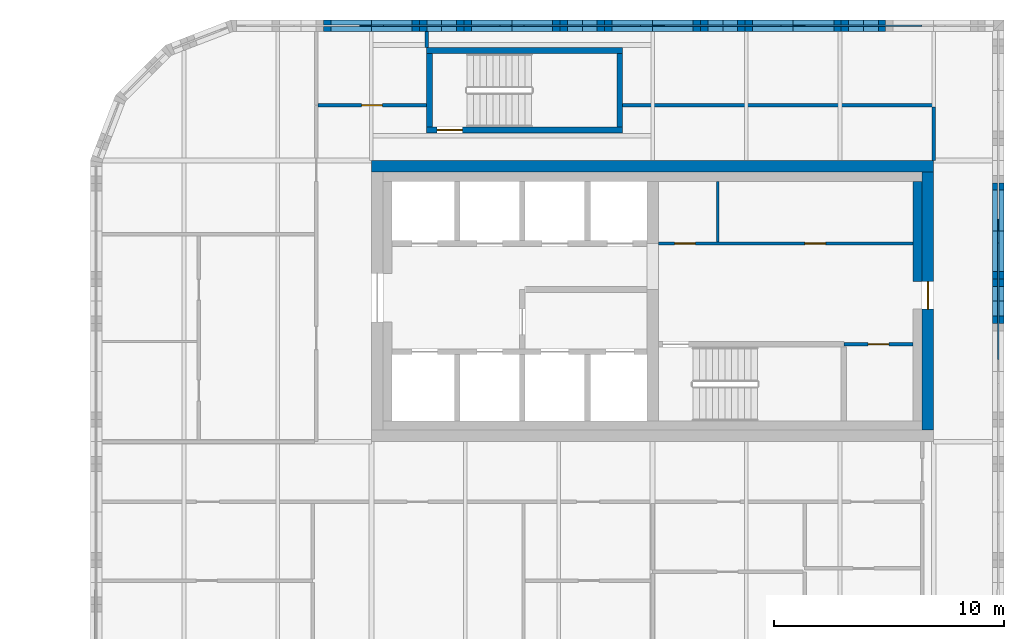
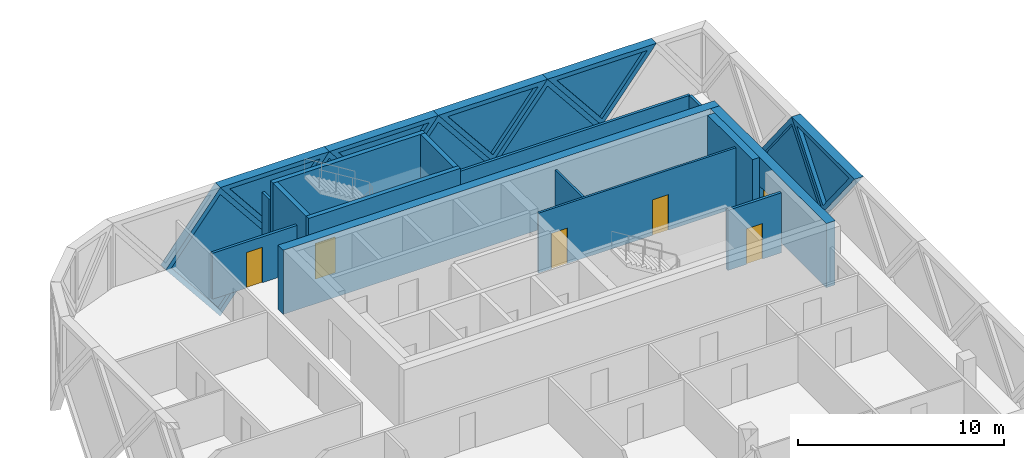
# One storey, part 20 of 24: 24 walls, 10 plates, 6 doors, 16 openings.
"""IFC4 building model written with IfcOpenShell, lengths in metres."""

from ifc_helpers import new_model, si_unit, direction, frame, frame_2d, origin, place, context, subcontext, project, spatial, polyline, rectangle, outline, extrude, faceted_brep, source, transform, mapped, material, layer, layer_set, type_object, element, fill, save


model = new_model("IFC4")

# Units and contexts
model_context = context("Model", 3, precision=1e-05, world=origin(), true_north=direction((0.0, 1.0)))
body_context = subcontext(model_context, "Body", "Model", "MODEL_VIEW")
ifc_project = project(units=[si_unit("LENGTHUNIT", "METRE"), si_unit("AREAUNIT", "SQUARE_METRE"), si_unit("VOLUMEUNIT", "CUBIC_METRE"), si_unit("PLANEANGLEUNIT", "RADIAN"), si_unit("MASSUNIT", "GRAM", prefix="KILO")], contexts=[model_context])

# Site, building, storey
site_placement = place(None, origin())
site = spatial("IfcSite", under=ifc_project, at=site_placement, CompositionType="ELEMENT")
building_placement = place(site_placement, origin())
building = spatial("IfcBuilding", under=site, at=building_placement, Name="Tessera Gate Towers", CompositionType="ELEMENT")
storey_placement = place(building_placement, frame((0.0, 0.0, 102.800048828125)))
storey = spatial("IfcBuildingStorey", under=building, at=storey_placement, Name="L25", CompositionType="ELEMENT", Elevation=102.800048828125)

# Wall, opening, door
ifc_material_1 = material(Name="Concrete C40/50", Category="concrete")
ifc_layer_1 = layer(ifc_material_1, 0.25)
ifc_layer_set_1 = layer_set([ifc_layer_1], Name="CORE ENCLOSURE WALL 250")
wall_type_1 = type_object("IfcWallType", Name="CORE ENCLOSURE WALL 250", PredefinedType="SOLIDWALL", material=ifc_layer_set_1)
wall_1_placement = place(storey_placement, frame((108.5, 50.125, 0.0), z_axis=(0.0, 0.0, 1.0), x_axis=(-1.0, 0.0, 0.0)))
wall_1 = element("IfcWall", 1, at=wall_1_placement, inside=storey, type_object=wall_type_1, Name="L25 ST7 enclosure wall", PredefinedType="SOLIDWALL", context=body_context, shape_type="SweptSolid", body=[
    extrude(rectangle(XDim=8.5, YDim=0.25, at=frame_2d((4.25, 0.0))), origin(), (0.0, 0.0, 1.0), 3.800048828125),
])
shared_shape_1 = source(origin(), body_context, "Body", "SweptSolid", [
    extrude(rectangle(XDim=1.10009765625, YDim=2.10009765625, at=frame_2d((0.550048828125, 1.050048828125))), frame((0.0, 0.135009765625, 0.0), z_axis=(0.0, -1.0, 0.0), x_axis=(1.0, 0.0, 0.0)), (0.0, 0.0, 1.0), 0.27001953125),
])
opening_1_placement = place(wall_1_placement, frame((6.949951171875, 0.0, 0.0)))
opening_1 = element("IfcOpeningElement", 2, at=opening_1_placement, cuts=wall_1, Name="Opening SD-ST7-1", PredefinedType="OPENING", context=body_context, shape_type="MappedRepresentation", body=[
    mapped(shared_shape_1, transform((0.0, 0.0, 0.0), scale=1.0)),
])
ifc_material_2 = material(Name="Hollow steel fire door", Category="steel")
door_type_1 = type_object("IfcDoorType", Name="CORE DOOR SD1100 1100x2100", OperationType="NOTDEFINED", PredefinedType="DOOR", material=ifc_material_2)
shared_shape_2 = source(origin(), body_context, "Body", "SweptSolid", [
    extrude(rectangle(XDim=1.10009765625, YDim=2.10009765625, at=frame_2d((0.550048828125, 1.050048828125))), frame((0.0, 0.02490234375, 0.0), z_axis=(0.0, -1.0, 0.0), x_axis=(1.0, 0.0, 0.0)), (0.0, 0.0, 1.0), 0.050048828125),
])
door_1_placement = place(opening_1_placement, origin())
door_1 = element("IfcDoor", 3, at=door_1_placement, inside=storey, type_object=door_type_1, Name="Stair door", OperationType="SINGLE_SWING_RIGHT", OverallHeight=2.10009765625, OverallWidth=1.10009765625, PredefinedType="DOOR", context=body_context, shape_type="MappedRepresentation", body=[
    mapped(shared_shape_2, transform((0.0, 0.0, 0.0), scale=1.0)),
])
fill(opening_1, door_1)

# Walls
wall_2_placement = place(storey_placement, frame((100.125, 50.25, 0.0), z_axis=(0.0, 0.0, 1.0), x_axis=(0.0, 1.0, 0.0)))
element("IfcWall", 4, at=wall_2_placement, inside=storey, type_object=wall_type_1, Name="L25 ST7 enclosure wall", PredefinedType="SOLIDWALL", context=body_context, shape_type="SweptSolid", body=[
    extrude(rectangle(XDim=3.199951171875, YDim=0.25, at=frame_2d((1.60009765625, 0.0))), origin(), (0.0, 0.0, 1.0), 3.800048828125),
])
wall_3_placement = place(storey_placement, frame((100.0, 53.574951171875, 0.0), z_axis=(0.0, 0.0, 1.0), x_axis=(1.0, 0.0, 0.0)))
element("IfcWall", 5, at=wall_3_placement, inside=storey, type_object=wall_type_1, Name="L25 ST7 enclosure wall", PredefinedType="SOLIDWALL", context=body_context, shape_type="SweptSolid", body=[
    extrude(rectangle(XDim=8.5, YDim=0.25, at=frame_2d((4.25, 0.0))), origin(), (0.0, 0.0, 1.0), 3.800048828125),
])
wall_4_placement = place(storey_placement, frame((108.375, 53.449951171875, 0.0), z_axis=(0.0, 0.0, 1.0), x_axis=(0.0, -1.0, 0.0)))
element("IfcWall", 6, at=wall_4_placement, inside=storey, type_object=wall_type_1, Name="L25 ST7 enclosure wall", PredefinedType="SOLIDWALL", context=body_context, shape_type="SweptSolid", body=[
    extrude(rectangle(XDim=3.199951171875, YDim=0.25, at=frame_2d((1.60009765625, 0.0))), origin(), (0.0, 0.0, 1.0), 3.800048828125),
])

# Wall, openings, doors
ifc_material_3 = material(Name="Gypsum board on steel studs", Category="steel")
ifc_layer_2 = layer(ifc_material_3, 0.1201171875)
ifc_layer_set_2 = layer_set([ifc_layer_2], Name="CORE PARTITION 120")
wall_type_2 = type_object("IfcWallType", Name="CORE PARTITION 120", PredefinedType="PARTITIONING", material=ifc_layer_set_2)
wall_5_placement = place(storey_placement, frame((110.050048828125, 45.199951171875, 0.0), z_axis=(0.0, 0.0, 1.0), x_axis=(1.0, 0.0, 0.0)))
wall_5 = element("IfcWall", 7, at=wall_5_placement, inside=storey, type_object=wall_type_2, Name="L25 core partition", PredefinedType="PARTITIONING", context=body_context, shape_type="SweptSolid", body=[
    extrude(rectangle(XDim=11.050048828125, YDim=0.1201171875, at=frame_2d((5.52490234375, 0.0))), origin(), (0.0, 0.0, 1.0), 3.550048828125),
])
shared_shape_3 = source(origin(), body_context, "Body", "SweptSolid", [
    extrude(rectangle(XDim=0.89990234375, YDim=2.10009765625, at=frame_2d((0.449951171875, 1.050048828125))), frame((0.0, 0.070068359375, 0.0), z_axis=(0.0, -1.0, 0.0), x_axis=(1.0, 0.0, 0.0)), (0.0, 0.0, 1.0), 0.14013671875),
])
opening_2_placement = place(wall_5_placement, frame((0.71240234375, 0.0, 0.0)))
opening_2 = element("IfcOpeningElement", 8, at=opening_2_placement, cuts=wall_5, Name="Opening RD-T2-12-04", PredefinedType="OPENING", context=body_context, shape_type="MappedRepresentation", body=[
    mapped(shared_shape_3, transform((0.0, 0.0, 0.0), scale=1.0)),
])
opening_3_placement = place(wall_5_placement, frame((6.362548828125, 0.0, 0.0)))
opening_3 = element("IfcOpeningElement", 9, at=opening_3_placement, cuts=wall_5, Name="Opening RD-T2-12-05", PredefinedType="OPENING", context=body_context, shape_type="MappedRepresentation", body=[
    mapped(shared_shape_3, transform((0.0, 0.0, 0.0), scale=1.0)),
])
ifc_material_4 = material(Name="Hollow steel fire door", Category="steel")
door_type_2 = type_object("IfcDoorType", Name="CORE DOOR RD 900x2100", OperationType="NOTDEFINED", PredefinedType="DOOR", material=ifc_material_4)
shared_shape_4 = source(origin(), body_context, "Body", "SweptSolid", [
    extrude(rectangle(XDim=0.89990234375, YDim=2.10009765625, at=frame_2d((0.449951171875, 1.050048828125))), frame((0.0, 0.02490234375, 0.0), z_axis=(0.0, -1.0, 0.0), x_axis=(1.0, 0.0, 0.0)), (0.0, 0.0, 1.0), 0.050048828125),
])
door_2_placement = place(opening_2_placement, origin())
door_2 = element("IfcDoor", 10, at=door_2_placement, inside=storey, type_object=door_type_2, Name="Core room door", OperationType="SINGLE_SWING_LEFT", OverallHeight=2.10009765625, OverallWidth=0.89990234375, PredefinedType="DOOR", context=body_context, shape_type="MappedRepresentation", body=[
    mapped(shared_shape_4, transform((0.0, 0.0, 0.0), scale=1.0)),
])
fill(opening_2, door_2)
door_3_placement = place(opening_3_placement, origin())
door_3 = element("IfcDoor", 11, at=door_3_placement, inside=storey, type_object=door_type_2, Name="Core room door", OperationType="SINGLE_SWING_RIGHT", OverallHeight=2.10009765625, OverallWidth=0.89990234375, PredefinedType="DOOR", context=body_context, shape_type="MappedRepresentation", body=[
    mapped(shared_shape_4, transform((0.0, 0.0, 0.0), scale=1.0)),
])
fill(opening_3, door_3)

# Walls
wall_6_placement = place(storey_placement, frame((112.625, 45.260009765625, 0.0), z_axis=(0.0, 0.0, 1.0), x_axis=(0.0, 1.0, 0.0)))
element("IfcWall", 12, at=wall_6_placement, inside=storey, type_object=wall_type_2, Name="L25 core partition", PredefinedType="PARTITIONING", context=body_context, shape_type="SweptSolid", body=[
    extrude(rectangle(XDim=2.639892578125, YDim=0.1201171875, at=frame_2d((1.31982421875, 0.0))), origin(), (0.0, 0.0, 1.0), 3.550048828125),
])
ifc_material_5 = material(Name="Concrete C50/60", Category="concrete")
ifc_layer_3 = layer(ifc_material_5, 0.5)
ifc_layer_set_3 = layer_set([ifc_layer_3], Name="CORE SHEAR WALL 500 C50/60")
wall_type_3 = type_object("IfcWallType", Name="CORE SHEAR WALL 500 C50/60", PredefinedType="SHEAR", material=ifc_layer_set_3)
wall_7_placement = place(storey_placement, frame((97.60009765625, 48.550048828125, 0.0), z_axis=(0.0, 0.0, 1.0), x_axis=(1.0, 0.0, 0.0)))
element("IfcWall", 13, at=wall_7_placement, inside=storey, type_object=wall_type_3, Name="Core wall N L25", PredefinedType="SHEAR", context=body_context, shape_type="SweptSolid", body=[
    extrude(rectangle(XDim=24.39990234375, YDim=0.5, at=frame_2d((12.199951171875, 0.0))), origin(), (0.0, 0.0, 1.0), 3.800048828125),
])

# Wall, opening, door
wall_8_placement = place(storey_placement, frame((121.75, 48.300048828125, 0.0), z_axis=(0.0, 0.0, 1.0), x_axis=(0.0, -1.0, 0.0)))
wall_8 = element("IfcWall", 14, at=wall_8_placement, inside=storey, type_object=wall_type_3, Name="Core wall E L25", PredefinedType="SHEAR", context=body_context, shape_type="SweptSolid", body=[
    extrude(rectangle(XDim=11.199951171875, YDim=0.5, at=frame_2d((5.60009765625, 0.0))), origin(), (0.0, 0.0, 1.0), 3.800048828125),
])
shared_shape_5 = source(origin(), body_context, "Body", "SweptSolid", [
    extrude(rectangle(XDim=1.199951171875, YDim=2.10009765625, at=frame_2d((0.60009765625, 1.050048828125))), frame((0.0, 0.260009765625, 0.0), z_axis=(0.0, -1.0, 0.0), x_axis=(1.0, 0.0, 0.0)), (0.0, 0.0, 1.0), 0.52001953125),
])
opening_4_placement = place(wall_8_placement, frame((4.75, 0.0, 0.0)))
opening_4 = element("IfcOpeningElement", 15, at=opening_4_placement, cuts=wall_8, Name="Opening ED-T2-12-02", PredefinedType="OPENING", context=body_context, shape_type="MappedRepresentation", body=[
    mapped(shared_shape_5, transform((0.0, 0.0, 0.0), scale=1.0)),
])
ifc_material_6 = material(Name="Hollow steel fire door", Category="steel")
door_type_3 = type_object("IfcDoorType", Name="CORE DOOR ED 1200x2100", OperationType="NOTDEFINED", PredefinedType="DOOR", material=ifc_material_6)
shared_shape_6 = source(origin(), body_context, "Body", "SweptSolid", [
    extrude(rectangle(XDim=1.199951171875, YDim=2.10009765625, at=frame_2d((0.60009765625, 1.050048828125))), frame((0.0, 0.02490234375, 0.0), z_axis=(0.0, -1.0, 0.0), x_axis=(1.0, 0.0, 0.0)), (0.0, 0.0, 1.0), 0.050048828125),
])
door_4_placement = place(opening_4_placement, origin())
door_4 = element("IfcDoor", 16, at=door_4_placement, inside=storey, type_object=door_type_3, Name="Core exit door", OperationType="SINGLE_SWING_LEFT", OverallHeight=2.10009765625, OverallWidth=1.199951171875, PredefinedType="DOOR", context=body_context, shape_type="MappedRepresentation", body=[
    mapped(shared_shape_6, transform((0.0, 0.0, 0.0), scale=1.0)),
])
fill(opening_4, door_4)

# Walls
ifc_material_7 = material(Name="Concrete C50/60", Category="concrete")
ifc_layer_4 = layer(ifc_material_7, 0.39990234375)
ifc_layer_set_4 = layer_set([ifc_layer_4], Name="CORE WALL THICKENING 400")
wall_type_4 = type_object("IfcWallType", Name="CORE WALL THICKENING 400", PredefinedType="SOLIDWALL", material=ifc_layer_set_4)
wall_9_placement = place(storey_placement, frame((121.300048828125, 43.550048828125, 0.0), z_axis=(0.0, 0.0, 1.0), x_axis=(0.0, 1.0, 0.0)))
element("IfcWall", 17, at=wall_9_placement, inside=storey, type_object=wall_type_4, Name="Core wall thickening E L25", PredefinedType="SOLIDWALL", context=body_context, shape_type="SweptSolid", body=[
    extrude(rectangle(XDim=4.349853515625, YDim=0.39990234375, at=frame_2d((2.1748046875, 0.0))), origin(), (0.0, 0.0, 1.0), 3.800048828125),
])
ifc_material_8 = material(Name="Gypsum board on steel studs, mineral wool", Category="steel")
ifc_layer_5 = layer(ifc_material_8, 0.14990234375)
ifc_layer_set_5 = layer_set([ifc_layer_5], Name="CORRIDOR WALL 150")
wall_type_5 = type_object("IfcWallType", Name="CORRIDOR WALL 150", PredefinedType="PARTITIONING", material=ifc_layer_set_5)
wall_10_placement = place(storey_placement, frame((122.0, 48.800048828125, 0.0), z_axis=(0.0, 0.0, 1.0), x_axis=(0.0, 1.0, 0.0)))
element("IfcWall", 18, at=wall_10_placement, inside=storey, type_object=wall_type_5, Name="T2-L25-PW-031", PredefinedType="PARTITIONING", context=body_context, shape_type="SweptSolid", body=[
    extrude(rectangle(XDim=2.323974609375, YDim=0.14990234375, at=frame_2d((1.162109375, 0.0))), origin(), (0.0, 0.0, 1.0), 2.71484375),
])

# Wall, opening, door
wall_11_placement = place(storey_placement, frame((95.27587890625, 51.199951171875, 0.0), z_axis=(0.0, 0.0, 1.0), x_axis=(1.0, 0.0, 0.0)))
wall_11 = element("IfcWall", 19, at=wall_11_placement, inside=storey, type_object=wall_type_5, Name="T2-L25-PW-033", PredefinedType="PARTITIONING", context=body_context, shape_type="SweptSolid", body=[
    extrude(rectangle(XDim=4.72412109375, YDim=0.14990234375, at=frame_2d((2.362060546875, 0.0))), origin(), (0.0, 0.0, 1.0), 2.71484375),
])
shared_shape_7 = source(origin(), body_context, "Body", "SweptSolid", [
    extrude(rectangle(XDim=0.89990234375, YDim=2.10009765625, at=frame_2d((0.449951171875, 1.050048828125))), frame((0.0, 0.0849609375, 0.0), z_axis=(0.0, -1.0, 0.0), x_axis=(1.0, 0.0, 0.0)), (0.0, 0.0, 1.0), 0.169921875),
])
opening_5_placement = place(wall_11_placement, frame((1.89990234375, 0.0, 0.0)))
opening_5 = element("IfcOpeningElement", 20, at=opening_5_placement, cuts=wall_11, Name="Opening D890FD60-B10-01", PredefinedType="OPENING", context=body_context, shape_type="MappedRepresentation", body=[
    mapped(shared_shape_7, transform((0.0, 0.0, 0.0), scale=1.0)),
])
ifc_material_9 = material(Name="Timber door leaf in steel frame", Category="steel")
door_type_4 = type_object("IfcDoorType", Name="CORRIDOR DOOR 900 FD60", OperationType="NOTDEFINED", PredefinedType="DOOR", material=ifc_material_9)
door_5_placement = place(opening_5_placement, origin())
door_5 = element("IfcDoor", 21, at=door_5_placement, inside=storey, type_object=door_type_4, Name="T2-L25-PD-007", OperationType="SINGLE_SWING_LEFT", OverallHeight=2.10009765625, OverallWidth=0.89990234375, PredefinedType="DOOR", context=body_context, shape_type="MappedRepresentation", body=[
    mapped(shared_shape_4, transform((0.0, 0.0, 0.0), scale=1.0)),
])
fill(opening_5, door_5)

# Wall
wall_12_placement = place(storey_placement, frame((108.5, 51.199951171875, 0.0), z_axis=(0.0, 0.0, 1.0), x_axis=(1.0, 0.0, 0.0)))
element("IfcWall", 22, at=wall_12_placement, inside=storey, type_object=wall_type_5, Name="T2-L25-PW-034", PredefinedType="PARTITIONING", context=body_context, shape_type="SweptSolid", body=[
    extrude(rectangle(XDim=13.5, YDim=0.14990234375, at=frame_2d((6.75, 0.0))), origin(), (0.0, 0.0, 1.0), 2.71484375),
])

# Wall, opening, door
ifc_material_10 = material(Name="Gypsum board on steel studs", Category="steel")
ifc_layer_6 = layer(ifc_material_10, 0.14990234375)
ifc_layer_set_6 = layer_set([ifc_layer_6], Name="SERVICE ROOM WALL 150")
wall_type_6 = type_object("IfcWallType", Name="SERVICE ROOM WALL 150", PredefinedType="PARTITIONING", material=ifc_layer_set_6)
wall_13_placement = place(storey_placement, frame((121.10009765625, 40.824951171875, 0.0), z_axis=(0.0, 0.0, 1.0), x_axis=(-1.0, 0.0, 0.0)))
wall_13 = element("IfcWall", 23, at=wall_13_placement, inside=storey, type_object=wall_type_6, Name="L25 service room wall", PredefinedType="PARTITIONING", context=body_context, shape_type="SweptSolid", body=[
    extrude(rectangle(XDim=3.0, YDim=0.14990234375, at=frame_2d((1.5, 0.0))), origin(), (0.0, 0.0, 1.0), 3.550048828125),
])
opening_6_placement = place(wall_13_placement, frame((1.050048828125, 0.0, 0.0)))
opening_6 = element("IfcOpeningElement", 24, at=opening_6_placement, cuts=wall_13, Name="Opening RD-T2-12-06", PredefinedType="OPENING", context=body_context, shape_type="MappedRepresentation", body=[
    mapped(shared_shape_7, transform((0.0, 0.0, 0.0), scale=1.0)),
])
door_6_placement = place(opening_6_placement, origin())
door_6 = element("IfcDoor", 25, at=door_6_placement, inside=storey, type_object=door_type_2, Name="Core room door", OperationType="SINGLE_SWING_RIGHT", OverallHeight=2.10009765625, OverallWidth=0.89990234375, PredefinedType="DOOR", context=body_context, shape_type="MappedRepresentation", body=[
    mapped(shared_shape_4, transform((0.0, 0.0, 0.0), scale=1.0)),
])
fill(opening_6, door_6)

# Wall
ifc_material_11 = material(Name="Gypsum board on steel studs, mineral wool", Category="steel")
ifc_layer_7 = layer(ifc_material_11, 0.14990234375)
ifc_layer_set_7 = layer_set([ifc_layer_7], Name="TENANCY WALL 150")
wall_type_7 = type_object("IfcWallType", Name="TENANCY WALL 150", PredefinedType="PARTITIONING", material=ifc_layer_set_7)
wall_14_placement = place(storey_placement, frame((100.0, 53.699951171875, 0.0), z_axis=(0.0, 0.0, 1.0), x_axis=(0.0, 1.0, 0.0)))
element("IfcWall", 26, at=wall_14_placement, inside=storey, type_object=wall_type_7, Name="T2-L25-PW-035", PredefinedType="PARTITIONING", context=body_context, shape_type="SweptSolid", body=[
    extrude(rectangle(XDim=0.699951171875, YDim=0.14990234375, at=frame_2d((0.35009765625, 0.0))), origin(), (0.0, 0.0, 1.0), 2.71484375),
])

# Wall, opening, plate
ifc_material_12 = material(Name="Precast concrete C60/75 white", Category="concrete")
ifc_layer_8 = layer(ifc_material_12, 0.5)
ifc_layer_set_8 = layer_set([ifc_layer_8], Name="TS1 tessera")
wall_type_8 = type_object("IfcWallType", Name="TS1 tessera", PredefinedType="SOLIDWALL", material=ifc_layer_set_8)
shared_shape_8 = source(origin(), body_context, "Body", "Brep", [
    faceted_brep([(3.050048828125, -0.25, 0.0), (6.099853515625, -0.25, 3.7998046875), (6.099853515625, -0.25, 3.80029296875), (3.050048828125, -0.25, 7.60009765625), (0.0, -0.25, 3.800048828125), (0.0, 0.25, 3.800048828125), (3.050048828125, 0.25, 7.60009765625), (6.099853515625, 0.25, 3.80029296875), (6.099853515625, 0.25, 3.7998046875), (3.050048828125, 0.25, 0.0)], [[[0, 1, 2, 3, 4]], [[5, 6, 7, 8, 9]], [[9, 8, 1, 0]], [[7, 6, 3, 2]], [[6, 5, 4, 3]], [[5, 9, 0, 4]], [[1, 8, 7, 2]]]),
])
wall_15_placement = place(storey_placement, frame((118.949951171875, 54.64990234375, -3.800048828125), z_axis=(0.0, 0.0, 1.0), x_axis=(-1.0, 0.0, 0.0)))
wall_15 = element("IfcWall", 27, at=wall_15_placement, inside=storey, type_object=wall_type_8, Name="Precast tessera T2 TS1-0318", PredefinedType="SOLIDWALL", context=body_context, shape_type="MappedRepresentation", body=[
    mapped(shared_shape_8, transform((0.0, 0.0, 0.0), scale=1.0)),
])
shared_shape_9 = source(origin(), body_context, "Body", "SweptSolid", [
    extrude(outline(polyline([(3.050048828125, 0.3994140625), (5.779541015625, 3.800048828125), (3.050048828125, 7.20068359375), (0.320556640625, 3.800048828125), (3.050048828125, 0.3994140625)])), frame((0.0, 0.260009765625, 0.0), z_axis=(0.0, -1.0, 0.0), x_axis=(1.0, 0.0, 0.0)), (0.0, 0.0, 1.0), 0.52001953125),
])
opening_7_placement = place(wall_15_placement, origin())
opening_7 = element("IfcOpeningElement", 28, at=opening_7_placement, cuts=wall_15, Name="Opening T2-PL2-0588", PredefinedType="OPENING", context=body_context, shape_type="MappedRepresentation", body=[
    mapped(shared_shape_9, transform((0.0, 0.0, 0.0), scale=1.0)),
])
ifc_material_13 = material(Name="Low-e laminated glass", Category="glass")
ifc_layer_9 = layer(ifc_material_13, 0.06005859375)
ifc_layer_set_9 = layer_set([ifc_layer_9], Name="PL2 rhombic pane")
plate_type_1 = type_object("IfcPlateType", Name="PL2 rhombic pane", PredefinedType="SHEET", material=ifc_layer_set_9)
shared_shape_10 = source(origin(), body_context, "Body", "SweptSolid", [
    extrude(outline(polyline([(3.050048828125, 0.3994140625), (5.779541015625, 3.800048828125), (3.050048828125, 7.20068359375), (0.320556640625, 3.800048828125), (3.050048828125, 0.3994140625)])), frame((0.0, 0.030029296875, 0.0), z_axis=(0.0, -1.0, 0.0), x_axis=(1.0, 0.0, 0.0)), (0.0, 0.0, 1.0), 0.06005859375),
])
plate_1_placement = place(opening_7_placement, origin())
plate_1 = element("IfcPlate", 29, at=plate_1_placement, inside=storey, type_object=plate_type_1, Name="Glass pane T2 PL2-0588", PredefinedType="SHEET", context=body_context, shape_type="MappedRepresentation", body=[
    mapped(shared_shape_10, transform((0.0, 0.0, 0.0), scale=1.0)),
])
fill(opening_7, plate_1)

wall_16_placement = place(storey_placement, frame((100.64990234375, 54.64990234375, -3.800048828125), z_axis=(0.0, 0.0, 1.0), x_axis=(-1.0, 0.0, 0.0)))
wall_16 = element("IfcWall", 30, at=wall_16_placement, inside=storey, type_object=wall_type_8, Name="Precast tessera T2 TS1-0321", PredefinedType="SOLIDWALL", context=body_context, shape_type="MappedRepresentation", body=[
    mapped(shared_shape_8, transform((0.0, 0.0, 0.0), scale=1.0)),
])
opening_8_placement = place(wall_16_placement, origin())
opening_8 = element("IfcOpeningElement", 31, at=opening_8_placement, cuts=wall_16, Name="Opening T2-PL2-0591", PredefinedType="OPENING", context=body_context, shape_type="MappedRepresentation", body=[
    mapped(shared_shape_9, transform((0.0, 0.0, 0.0), scale=1.0)),
])
plate_2_placement = place(opening_8_placement, origin())
plate_2 = element("IfcPlate", 32, at=plate_2_placement, inside=storey, type_object=plate_type_1, Name="Glass pane T2 PL2-0591", PredefinedType="SHEET", context=body_context, shape_type="MappedRepresentation", body=[
    mapped(shared_shape_10, transform((0.0, 0.0, 0.0), scale=1.0)),
])
fill(opening_8, plate_2)

shared_shape_11 = source(origin(), body_context, "Body", "SweptSolid", [
    extrude(outline(polyline([(3.050048828125, 0.0), (6.10009765625, 3.800048828125), (3.050048828125, 7.60009765625), (0.0, 3.800048828125), (3.050048828125, 0.0)])), frame((0.0, 0.25, 0.0), z_axis=(0.0, -1.0, 0.0), x_axis=(1.0, 0.0, 0.0)), (0.0, 0.0, 1.0), 0.5),
])
wall_17_placement = place(storey_placement, frame((124.800048828125, 42.699951171875, -3.800048828125), z_axis=(0.0, 0.0, 1.0), x_axis=(0.0, 1.0, 0.0)))
wall_17 = element("IfcWall", 33, at=wall_17_placement, inside=storey, type_object=wall_type_8, Name="Precast tessera T2 TS1-0315", PredefinedType="SOLIDWALL", context=body_context, shape_type="MappedRepresentation", body=[
    mapped(shared_shape_11, transform((0.0, 0.0, 0.0), scale=1.0)),
])
opening_9_placement = place(wall_17_placement, origin())
opening_9 = element("IfcOpeningElement", 34, at=opening_9_placement, cuts=wall_17, Name="Opening T2-PL2-0585", PredefinedType="OPENING", context=body_context, shape_type="MappedRepresentation", body=[
    mapped(shared_shape_9, transform((0.0, 0.0, 0.0), scale=1.0)),
])
plate_3_placement = place(opening_9_placement, origin())
plate_3 = element("IfcPlate", 35, at=plate_3_placement, inside=storey, type_object=plate_type_1, Name="Glass pane T2 PL2-0585", PredefinedType="SHEET", context=body_context, shape_type="MappedRepresentation", body=[
    mapped(shared_shape_10, transform((0.0, 0.0, 0.0), scale=1.0)),
])
fill(opening_9, plate_3)

wall_18_placement = place(storey_placement, frame((112.85009765625, 54.64990234375, -3.800048828125), z_axis=(0.0, 0.0, 1.0), x_axis=(-1.0, 0.0, 0.0)))
wall_18 = element("IfcWall", 36, at=wall_18_placement, inside=storey, type_object=wall_type_8, Name="Precast tessera T2 TS1-0319", PredefinedType="SOLIDWALL", context=body_context, shape_type="MappedRepresentation", body=[
    mapped(shared_shape_11, transform((0.0, 0.0, 0.0), scale=1.0)),
])
opening_10_placement = place(wall_18_placement, origin())
opening_10 = element("IfcOpeningElement", 37, at=opening_10_placement, cuts=wall_18, Name="Opening T2-PL2-0589", PredefinedType="OPENING", context=body_context, shape_type="MappedRepresentation", body=[
    mapped(shared_shape_9, transform((0.0, 0.0, 0.0), scale=1.0)),
])
plate_4_placement = place(opening_10_placement, origin())
plate_4 = element("IfcPlate", 38, at=plate_4_placement, inside=storey, type_object=plate_type_1, Name="Glass pane T2 PL2-0589", PredefinedType="SHEET", context=body_context, shape_type="MappedRepresentation", body=[
    mapped(shared_shape_10, transform((0.0, 0.0, 0.0), scale=1.0)),
])
fill(opening_10, plate_4)

wall_19_placement = place(storey_placement, frame((106.75, 54.64990234375, -3.800048828125), z_axis=(0.0, 0.0, 1.0), x_axis=(-1.0, 0.0, 0.0)))
wall_19 = element("IfcWall", 39, at=wall_19_placement, inside=storey, type_object=wall_type_8, Name="Precast tessera T2 TS1-0320", PredefinedType="SOLIDWALL", context=body_context, shape_type="MappedRepresentation", body=[
    mapped(shared_shape_11, transform((0.0, 0.0, 0.0), scale=1.0)),
])
opening_11_placement = place(wall_19_placement, origin())
opening_11 = element("IfcOpeningElement", 40, at=opening_11_placement, cuts=wall_19, Name="Opening T2-PL2-0590", PredefinedType="OPENING", context=body_context, shape_type="MappedRepresentation", body=[
    mapped(shared_shape_9, transform((0.0, 0.0, 0.0), scale=1.0)),
])
plate_5_placement = place(opening_11_placement, origin())
plate_5 = element("IfcPlate", 41, at=plate_5_placement, inside=storey, type_object=plate_type_1, Name="Glass pane T2 PL2-0590", PredefinedType="SHEET", context=body_context, shape_type="MappedRepresentation", body=[
    mapped(shared_shape_10, transform((0.0, 0.0, 0.0), scale=1.0)),
])
fill(opening_11, plate_5)

ifc_material_14 = material(Name="Precast concrete C60/75 white", Category="concrete")
ifc_layer_10 = layer(ifc_material_14, 0.5)
ifc_layer_set_10 = layer_set([ifc_layer_10], Name="TS2 half tessera")
wall_type_9 = type_object("IfcWallType", Name="TS2 half tessera", PredefinedType="SOLIDWALL", material=ifc_layer_set_10)
shared_shape_12 = source(origin(), body_context, "Body", "Brep", [
    faceted_brep([(3.050048828125, -0.25, 0.0), (6.099853515625, -0.25, 3.7998046875), (6.099853515625, -0.25, 3.800048828125), (0.0, -0.25, 3.800048828125), (0.0, 0.25, 3.800048828125), (6.099853515625, 0.25, 3.800048828125), (6.099853515625, 0.25, 3.7998046875), (3.050048828125, 0.25, 0.0)], [[[0, 1, 2, 3]], [[4, 5, 6, 7]], [[7, 6, 1, 0]], [[5, 4, 3, 2]], [[4, 7, 0, 3]], [[1, 6, 5, 2]]]),
])
wall_20_placement = place(storey_placement, frame((115.89990234375, 54.64990234375, 0.0), z_axis=(0.0, 0.0, 1.0), x_axis=(-1.0, 0.0, 0.0)))
wall_20 = element("IfcWall", 42, at=wall_20_placement, inside=storey, type_object=wall_type_9, Name="Precast half tessera T2 TS2-0139", PredefinedType="SOLIDWALL", context=body_context, shape_type="MappedRepresentation", body=[
    mapped(shared_shape_12, transform((0.0, 0.0, 0.0), scale=1.0)),
])
shared_shape_13 = source(origin(), body_context, "Body", "SweptSolid", [
    extrude(outline(polyline([(3.050048828125, 0.3994140625), (5.578857421875, 3.550048828125), (0.521240234375, 3.550048828125), (3.050048828125, 0.3994140625)])), frame((0.0, 0.260009765625, 0.0), z_axis=(0.0, -1.0, 0.0), x_axis=(1.0, 0.0, 0.0)), (0.0, 0.0, 1.0), 0.52001953125),
])
opening_12_placement = place(wall_20_placement, origin())
opening_12 = element("IfcOpeningElement", 43, at=opening_12_placement, cuts=wall_20, Name="Opening T2-PL1-0247", PredefinedType="OPENING", context=body_context, shape_type="MappedRepresentation", body=[
    mapped(shared_shape_13, transform((0.0, 0.0, 0.0), scale=1.0)),
])
ifc_material_15 = material(Name="Low-e laminated glass", Category="glass")
ifc_layer_11 = layer(ifc_material_15, 0.06005859375)
ifc_layer_set_11 = layer_set([ifc_layer_11], Name="PL1 triangular pane")
plate_type_2 = type_object("IfcPlateType", Name="PL1 triangular pane", PredefinedType="SHEET", material=ifc_layer_set_11)
shared_shape_14 = source(origin(), body_context, "Body", "SweptSolid", [
    extrude(outline(polyline([(3.050048828125, 0.3994140625), (5.578857421875, 3.550048828125), (0.521240234375, 3.550048828125), (3.050048828125, 0.3994140625)])), frame((0.0, 0.030029296875, 0.0), z_axis=(0.0, -1.0, 0.0), x_axis=(1.0, 0.0, 0.0)), (0.0, 0.0, 1.0), 0.06005859375),
])
plate_6_placement = place(opening_12_placement, origin())
plate_6 = element("IfcPlate", 44, at=plate_6_placement, inside=storey, type_object=plate_type_2, Name="Glass pane T2 PL1-0247", PredefinedType="SHEET", context=body_context, shape_type="MappedRepresentation", body=[
    mapped(shared_shape_14, transform((0.0, 0.0, 0.0), scale=1.0)),
])
fill(opening_12, plate_6)

wall_21_placement = place(storey_placement, frame((103.699951171875, 54.64990234375, 0.0), z_axis=(0.0, 0.0, 1.0), x_axis=(-1.0, 0.0, 0.0)))
wall_21 = element("IfcWall", 45, at=wall_21_placement, inside=storey, type_object=wall_type_9, Name="Precast half tessera T2 TS2-0141", PredefinedType="SOLIDWALL", context=body_context, shape_type="MappedRepresentation", body=[
    mapped(shared_shape_12, transform((0.0, 0.0, 0.0), scale=1.0)),
])
opening_13_placement = place(wall_21_placement, origin())
opening_13 = element("IfcOpeningElement", 46, at=opening_13_placement, cuts=wall_21, Name="Opening T2-PL1-0249", PredefinedType="OPENING", context=body_context, shape_type="MappedRepresentation", body=[
    mapped(shared_shape_13, transform((0.0, 0.0, 0.0), scale=1.0)),
])
plate_7_placement = place(opening_13_placement, origin())
plate_7 = element("IfcPlate", 47, at=plate_7_placement, inside=storey, type_object=plate_type_2, Name="Glass pane T2 PL1-0249", PredefinedType="SHEET", context=body_context, shape_type="MappedRepresentation", body=[
    mapped(shared_shape_14, transform((0.0, 0.0, 0.0), scale=1.0)),
])
fill(opening_13, plate_7)

shared_shape_15 = source(origin(), body_context, "Body", "SweptSolid", [
    extrude(outline(polyline([(3.050048828125, 0.0), (6.10009765625, 3.800048828125), (0.0, 3.800048828125), (3.050048828125, 0.0)])), frame((0.0, 0.25, 0.0), z_axis=(0.0, -1.0, 0.0), x_axis=(1.0, 0.0, 0.0)), (0.0, 0.0, 1.0), 0.5),
])
wall_22_placement = place(storey_placement, frame((124.800048828125, 39.64990234375, 0.0), z_axis=(0.0, 0.0, 1.0), x_axis=(0.0, 1.0, 0.0)))
wall_22 = element("IfcWall", 48, at=wall_22_placement, inside=storey, type_object=wall_type_9, Name="Precast half tessera T2 TS2-0136", PredefinedType="SOLIDWALL", context=body_context, shape_type="MappedRepresentation", body=[
    mapped(shared_shape_15, transform((0.0, 0.0, 0.0), scale=1.0)),
])
opening_14_placement = place(wall_22_placement, origin())
opening_14 = element("IfcOpeningElement", 49, at=opening_14_placement, cuts=wall_22, Name="Opening T2-PL1-0242", PredefinedType="OPENING", context=body_context, shape_type="MappedRepresentation", body=[
    mapped(shared_shape_13, transform((0.0, 0.0, 0.0), scale=1.0)),
])
plate_8_placement = place(opening_14_placement, origin())
plate_8 = element("IfcPlate", 50, at=plate_8_placement, inside=storey, type_object=plate_type_2, Name="Glass pane T2 PL1-0242", PredefinedType="SHEET", context=body_context, shape_type="MappedRepresentation", body=[
    mapped(shared_shape_14, transform((0.0, 0.0, 0.0), scale=1.0)),
])
fill(opening_14, plate_8)

wall_23_placement = place(storey_placement, frame((122.0, 54.64990234375, 0.0), z_axis=(0.0, 0.0, 1.0), x_axis=(-1.0, 0.0, 0.0)))
wall_23 = element("IfcWall", 51, at=wall_23_placement, inside=storey, type_object=wall_type_9, Name="Precast half tessera T2 TS2-0138", PredefinedType="SOLIDWALL", context=body_context, shape_type="MappedRepresentation", body=[
    mapped(shared_shape_15, transform((0.0, 0.0, 0.0), scale=1.0)),
])
opening_15_placement = place(wall_23_placement, origin())
opening_15 = element("IfcOpeningElement", 52, at=opening_15_placement, cuts=wall_23, Name="Opening T2-PL1-0246", PredefinedType="OPENING", context=body_context, shape_type="MappedRepresentation", body=[
    mapped(shared_shape_13, transform((0.0, 0.0, 0.0), scale=1.0)),
])
plate_9_placement = place(opening_15_placement, origin())
plate_9 = element("IfcPlate", 53, at=plate_9_placement, inside=storey, type_object=plate_type_2, Name="Glass pane T2 PL1-0246", PredefinedType="SHEET", context=body_context, shape_type="MappedRepresentation", body=[
    mapped(shared_shape_14, transform((0.0, 0.0, 0.0), scale=1.0)),
])
fill(opening_15, plate_9)

wall_24_placement = place(storey_placement, frame((109.800048828125, 54.64990234375, 0.0), z_axis=(0.0, 0.0, 1.0), x_axis=(-1.0, 0.0, 0.0)))
wall_24 = element("IfcWall", 54, at=wall_24_placement, inside=storey, type_object=wall_type_9, Name="Precast half tessera T2 TS2-0140", PredefinedType="SOLIDWALL", context=body_context, shape_type="MappedRepresentation", body=[
    mapped(shared_shape_15, transform((0.0, 0.0, 0.0), scale=1.0)),
])
opening_16_placement = place(wall_24_placement, origin())
opening_16 = element("IfcOpeningElement", 55, at=opening_16_placement, cuts=wall_24, Name="Opening T2-PL1-0248", PredefinedType="OPENING", context=body_context, shape_type="MappedRepresentation", body=[
    mapped(shared_shape_13, transform((0.0, 0.0, 0.0), scale=1.0)),
])
plate_10_placement = place(opening_16_placement, origin())
plate_10 = element("IfcPlate", 56, at=plate_10_placement, inside=storey, type_object=plate_type_2, Name="Glass pane T2 PL1-0248", PredefinedType="SHEET", context=body_context, shape_type="MappedRepresentation", body=[
    mapped(shared_shape_14, transform((0.0, 0.0, 0.0), scale=1.0)),
])
fill(opening_16, plate_10)

save(model, "model.ifc")
